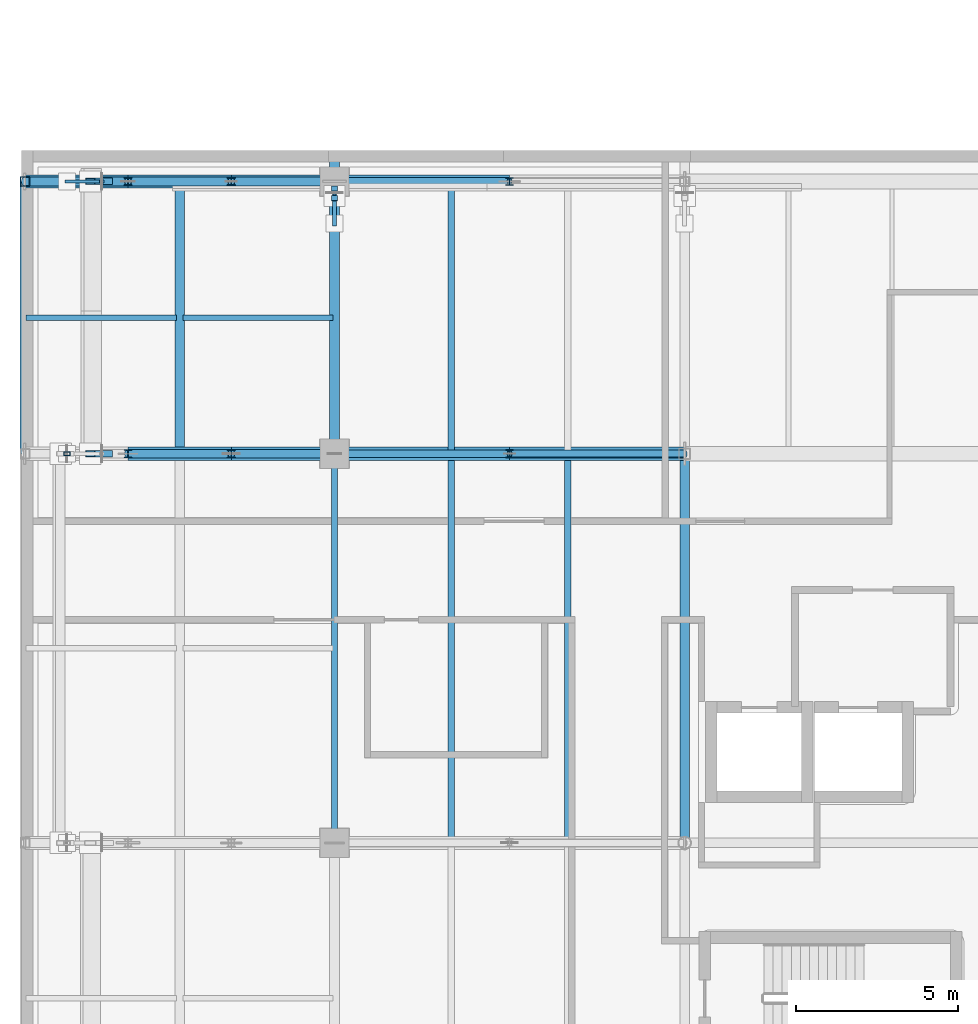
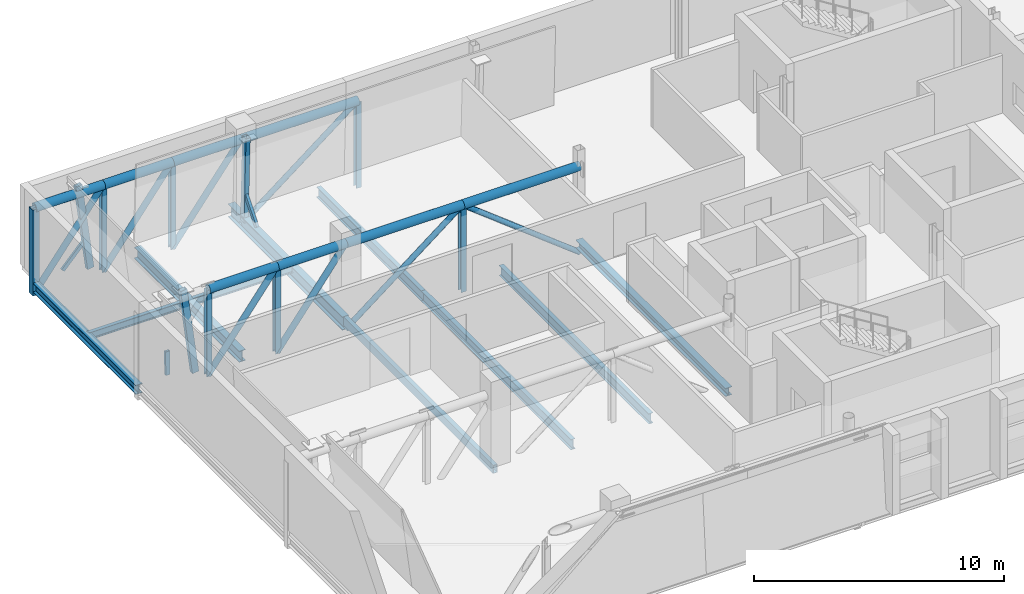
# One storey, part 12 of 89: 29 members, 10 beams.
"""IFC4 building model written with IfcOpenShell, lengths in metres."""

from ifc_helpers import new_model, si_unit, direction, frame, origin, origin_2d, place, context, subcontext, project, spatial, hollow_rectangle, hollow_circle, i_section, extrude, material, material_profile, profile_set, type_object, element, save


model = new_model("IFC4")

# Units and contexts
model_context = context("Model", 3, precision=1e-05, world=origin(), true_north=direction((0.0, 1.0)))
body_context = subcontext(model_context, "Body", "Model", "MODEL_VIEW")
ifc_project = project(units=[si_unit("LENGTHUNIT", "METRE"), si_unit("AREAUNIT", "SQUARE_METRE"), si_unit("VOLUMEUNIT", "CUBIC_METRE"), si_unit("PLANEANGLEUNIT", "RADIAN"), si_unit("MASSUNIT", "GRAM", prefix="KILO")], contexts=[model_context])

# Site, building, storey
site_placement = place(None, origin())
site = spatial("IfcSite", under=ifc_project, at=site_placement, CompositionType="ELEMENT")
building_placement = place(site_placement, origin())
building = spatial("IfcBuilding", under=site, at=building_placement, Name="Zereglee Splitstone Museum", CompositionType="ELEMENT")
storey_placement = place(building_placement, frame((0.0, 0.0, 21.300048828125)))
storey = spatial("IfcBuildingStorey", under=building, at=storey_placement, Name="L04", CompositionType="ELEMENT", Elevation=21.300048828125)

# Members
ifc_material_1 = material(Name="Steel S355J2H", Category="steel")
ifc_material_profile_1 = material_profile(ifc_material_1, hollow_circle(Radius=0.122314453125, WallThickness=0.012451171875, at=origin_2d()), Name="CHS 244.5x12.5")
ifc_profile_set_1 = profile_set([ifc_material_profile_1], Name="Steel S355J2H")
member_type_1 = type_object("IfcMemberType", Name="TB-02", PredefinedType="BRACE", material=ifc_profile_set_1)
for number, where, z_axis, x_axis, name in (
    (1, (9.60009765625, 21.60009765625, -0.900146484375), (0.78933300072, 0.0, 0.613965319847), (0.0, 1.0, 0.0), "Cantilever Truss CT-03 Web Brace L04-4"),
    (2, (20.39990234375, 21.60009765625, -0.900146484375), (-0.78933300072, 0.0, 0.613965319847), (0.0, -1.0, 0.0), "Cantilever Truss CT-03 Web Brace L04-5"),
    (3, (9.60009765625, 30.0, -0.900146484375), (0.78933300072, 0.0, 0.613965319847), (0.0, 1.0, 0.0), "Cantilever Truss CT-04 Web Brace L04-4"),
):
    element("IfcMember", number, at=place(storey_placement, frame(where, z_axis=z_axis, x_axis=x_axis)), inside=storey, type_object=member_type_1, Name=name, PredefinedType="BRACE", context=body_context, shape_type="SweptSolid", body=[
        extrude(hollow_circle(Radius=0.122314453125, WallThickness=0.012451171875, at=origin_2d()), origin(), (0.0, 0.0, 1.0), 6.841064453125),
    ])
ifc_material_profile_2 = material_profile(ifc_material_1, hollow_circle(Radius=0.136474609375, WallThickness=0.012451171875, at=origin_2d()), Name="CHS 273.0x12.5")
ifc_profile_set_2 = profile_set([ifc_material_profile_2], Name="Steel S355J2H")
member_type_2 = type_object("IfcMemberType", Name="TB-01", PredefinedType="BRACE", material=ifc_profile_set_2)
for number, where, z_axis, x_axis, name in (
    (4, (3.2333984375, 21.60009765625, -0.900146484375), (0.604024459, 0.0, 0.79696577902), (0.0, 1.0, 0.0), "Cantilever Truss CT-03 Web Brace L04-2"),
    (5, (6.416748046875, 21.60009765625, -0.900146484375), (0.604024459, 0.0, 0.79696577902), (0.0, 1.0, 0.0), "Cantilever Truss CT-03 Web Brace L04-3"),
    (6, (0.050048828125, 30.0, -0.900146484375), (0.604024459, 0.0, 0.79696577902), (0.0, 1.0, 0.0), "Cantilever Truss CT-04 Web Brace L04-1"),
    (7, (3.2333984375, 30.0, -0.900146484375), (0.604024459, 0.0, 0.79696577902), (0.0, 1.0, 0.0), "Cantilever Truss CT-04 Web Brace L04-2"),
    (8, (6.416748046875, 30.0, -0.900146484375), (0.604024459, 0.0, 0.79696577902), (0.0, 1.0, 0.0), "Cantilever Truss CT-04 Web Brace L04-3"),
):
    element("IfcMember", number, at=place(storey_placement, frame(where, z_axis=z_axis, x_axis=x_axis)), inside=storey, type_object=member_type_2, Name=name, PredefinedType="BRACE", context=body_context, shape_type="SweptSolid", body=[
        extrude(hollow_circle(Radius=0.136474609375, WallThickness=0.012451171875, at=origin_2d()), origin(), (0.0, 0.0, 1.0), 5.270263671875),
    ])
ifc_material_profile_3 = material_profile(ifc_material_1, hollow_circle(Radius=0.203125, WallThickness=0.02001953125, at=origin_2d()), Name="CHS 406.4x20")
ifc_profile_set_3 = profile_set([ifc_material_profile_3], Name="Steel S355J2H")
member_type_3 = type_object("IfcMemberType", Name="TC-03", PredefinedType="CHORD", material=ifc_profile_set_3)
for number, where, z_axis, x_axis, name in (
    (9, (3.2333984375, 21.60009765625, 3.300048828125), (1.0, 0.0, 0.0), (0.0, 1.0, 0.0), "Cantilever Truss CT-03 Top Chord L04-2"),
    (10, (6.416748046875, 21.60009765625, 3.300048828125), (1.0, 0.0, 0.0), (0.0, 1.0, 0.0), "Cantilever Truss CT-03 Top Chord L04-3"),
):
    element("IfcMember", number, at=place(storey_placement, frame(where, z_axis=z_axis, x_axis=x_axis)), inside=storey, type_object=member_type_3, Name=name, PredefinedType="CHORD", context=body_context, shape_type="SweptSolid", body=[
        extrude(hollow_circle(Radius=0.203125, WallThickness=0.02001953125, at=origin_2d()), origin(), (0.0, 0.0, 1.0), 3.183349609375),
    ])
for number, where, z_axis, x_axis, name in (
    (11, (9.60009765625, 21.60009765625, 3.300048828125), (1.0, 0.0, 0.0), (0.0, 1.0, 0.0), "Cantilever Truss CT-03 Top Chord L04-4"),
    (12, (15.0, 21.60009765625, 3.300048828125), (1.0, 0.0, 0.0), (0.0, 1.0, 0.0), "Cantilever Truss CT-03 Top Chord L04-5"),
):
    element("IfcMember", number, at=place(storey_placement, frame(where, z_axis=z_axis, x_axis=x_axis)), inside=storey, type_object=member_type_3, Name=name, PredefinedType="CHORD", context=body_context, shape_type="SweptSolid", body=[
        extrude(hollow_circle(Radius=0.203125, WallThickness=0.02001953125, at=origin_2d()), origin(), (0.0, 0.0, 1.0), 5.39990234375),
    ])
for number, where, z_axis, x_axis, name in (
    (13, (0.050048828125, 30.0, 3.300048828125), (1.0, 0.0, 0.0), (0.0, 1.0, 0.0), "Cantilever Truss CT-04 Top Chord L04-1"),
    (14, (3.2333984375, 30.0, 3.300048828125), (1.0, 0.0, 0.0), (0.0, 1.0, 0.0), "Cantilever Truss CT-04 Top Chord L04-2"),
    (15, (6.416748046875, 30.0, 3.300048828125), (1.0, 0.0, 0.0), (0.0, 1.0, 0.0), "Cantilever Truss CT-04 Top Chord L04-3"),
):
    element("IfcMember", number, at=place(storey_placement, frame(where, z_axis=z_axis, x_axis=x_axis)), inside=storey, type_object=member_type_3, Name=name, PredefinedType="CHORD", context=body_context, shape_type="SweptSolid", body=[
        extrude(hollow_circle(Radius=0.203125, WallThickness=0.02001953125, at=origin_2d()), origin(), (0.0, 0.0, 1.0), 3.183349609375),
    ])
member_1_placement = place(storey_placement, frame((9.60009765625, 30.0, 3.300048828125), z_axis=(1.0, 0.0, 0.0), x_axis=(0.0, 1.0, 0.0)))
element("IfcMember", 16, at=member_1_placement, inside=storey, type_object=member_type_3, Name="Cantilever Truss CT-04 Top Chord L04-4", PredefinedType="CHORD", context=body_context, shape_type="SweptSolid", body=[
    extrude(hollow_circle(Radius=0.203125, WallThickness=0.02001953125, at=origin_2d()), origin(), (0.0, 0.0, 1.0), 5.39990234375),
])

# Beams
ifc_material_2 = material(Name="Steel S355J2", Category="steel")
ifc_material_profile_4 = material_profile(ifc_material_2, i_section(OverallWidth=0.300048828125, OverallDepth=0.39990234375, WebThickness=0.013427734375, FlangeThickness=0.02392578125, FilletRadius=0.027099609375, at=origin_2d()), Name="HE 400 B")
ifc_profile_set_4 = profile_set([ifc_material_profile_4], Name="Steel S355J2")
beam_type_1 = type_object("IfcBeamType", Name="BG-13", PredefinedType="BEAM", material=ifc_profile_set_4)
beam_1_placement = place(storey_placement, frame((20.39990234375, 9.60009765625, -0.4599609375), z_axis=(0.0, 1.0, 0.0), x_axis=(-1.0, 0.0, 0.0)))
element("IfcBeam", 17, at=beam_1_placement, inside=storey, type_object=beam_type_1, Name="Primary Girder L04 4 (9.6-21.6)", PredefinedType="BEAM", context=body_context, shape_type="SweptSolid", body=[
    extrude(i_section(OverallWidth=0.300048828125, OverallDepth=0.39990234375, WebThickness=0.013427734375, FlangeThickness=0.02392578125, FilletRadius=0.027099609375, at=origin_2d()), origin(), (0.0, 0.0, 1.0), 12.0),
])
ifc_material_profile_5 = material_profile(ifc_material_2, i_section(OverallWidth=0.300048828125, OverallDepth=0.550048828125, WebThickness=0.014892578125, FlangeThickness=0.029052734375, FilletRadius=0.027099609375, at=origin_2d()), Name="HE 550 B")
ifc_profile_set_5 = profile_set([ifc_material_profile_5], Name="Steel S355J2")
beam_type_2 = type_object("IfcBeamType", Name="BG-11", PredefinedType="BEAM", material=ifc_profile_set_5)
beam_2_placement = place(storey_placement, frame((4.824951171875, 21.60009765625, -0.53515625), z_axis=(0.0, 1.0, 0.0), x_axis=(-1.0, 0.0, 0.0)))
element("IfcBeam", 18, at=beam_2_placement, inside=storey, type_object=beam_type_2, Name="Cantilever Transverse Girder L04 X=4.83", PredefinedType="BEAM", context=body_context, shape_type="SweptSolid", body=[
    extrude(i_section(OverallWidth=0.300048828125, OverallDepth=0.550048828125, WebThickness=0.014892578125, FlangeThickness=0.029052734375, FilletRadius=0.027099609375, at=origin_2d()), origin(), (0.0, 0.0, 1.0), 8.39990234375),
])
ifc_material_profile_6 = material_profile(ifc_material_2, i_section(OverallWidth=0.300048828125, OverallDepth=0.64990234375, WebThickness=0.01611328125, FlangeThickness=0.031005859375, FilletRadius=0.027099609375, at=origin_2d()), Name="HE 650 B")
ifc_profile_set_6 = profile_set([ifc_material_profile_6], Name="Steel S355J2")
beam_type_3 = type_object("IfcBeamType", Name="BG-09", PredefinedType="BEAM", material=ifc_profile_set_6)
beam_3_placement = place(storey_placement, frame((9.60009765625, 21.60009765625, -0.5849609375), z_axis=(0.0, 1.0, 0.0), x_axis=(-1.0, 0.0, 0.0)))
element("IfcBeam", 19, at=beam_3_placement, inside=storey, type_object=beam_type_3, Name="Primary Girder L04 2 (21.6-30.8)", PredefinedType="BEAM", context=body_context, shape_type="SweptSolid", body=[
    extrude(i_section(OverallWidth=0.300048828125, OverallDepth=0.64990234375, WebThickness=0.01611328125, FlangeThickness=0.031005859375, FilletRadius=0.027099609375, at=origin_2d()), origin(), (0.0, 0.0, 1.0), 9.14990234375),
])
ifc_material_profile_7 = material_profile(ifc_material_2, i_section(OverallWidth=0.169921875, OverallDepth=0.360107421875, WebThickness=0.008056640625, FlangeThickness=0.0126953125, FilletRadius=0.01806640625, at=origin_2d()), Name="IPE 360")
ifc_profile_set_7 = profile_set([ifc_material_profile_7], Name="Steel S355J2")
beam_type_4 = type_object("IfcBeamType", Name="BJ-04", PredefinedType="JOIST", material=ifc_profile_set_7)
beam_4_placement = place(storey_placement, frame((0.090087890625, 25.800048828125, -0.43994140625), z_axis=(1.0, 0.0, 0.0), x_axis=(0.0, 1.0, 0.0)))
element("IfcBeam", 20, at=beam_4_placement, inside=storey, type_object=beam_type_4, Name="Cantilever Floor Joist L04-1640", PredefinedType="JOIST", context=body_context, shape_type="SweptSolid", body=[
    extrude(i_section(OverallWidth=0.169921875, OverallDepth=0.360107421875, WebThickness=0.008056640625, FlangeThickness=0.0126953125, FilletRadius=0.01806640625, at=origin_2d()), origin(), (0.0, 0.0, 1.0), 4.635009765625),
])
beam_5_placement = place(storey_placement, frame((4.925048828125, 25.800048828125, -0.43994140625), z_axis=(1.0, 0.0, 0.0), x_axis=(0.0, 1.0, 0.0)))
element("IfcBeam", 21, at=beam_5_placement, inside=storey, type_object=beam_type_4, Name="Cantilever Floor Joist L04-1641", PredefinedType="JOIST", context=body_context, shape_type="SweptSolid", body=[
    extrude(i_section(OverallWidth=0.169921875, OverallDepth=0.360107421875, WebThickness=0.008056640625, FlangeThickness=0.0126953125, FilletRadius=0.01806640625, at=origin_2d()), origin(), (0.0, 0.0, 1.0), 4.625),
])
ifc_material_profile_8 = material_profile(ifc_material_2, i_section(OverallWidth=0.199951171875, OverallDepth=0.5, WebThickness=0.01025390625, FlangeThickness=0.01611328125, FilletRadius=0.02099609375, at=origin_2d()), Name="IPE 500")
ifc_profile_set_8 = profile_set([ifc_material_profile_8], Name="Steel S355J2")
beam_type_5 = type_object("IfcBeamType", Name="BJ-01", PredefinedType="JOIST", material=ifc_profile_set_8)
for number, where, z_axis, x_axis, name in (
    (22, (13.199951171875, 9.60009765625, -0.510009765625), (0.0, 1.0, 0.0), (-1.0, 0.0, 0.0), "Secondary Floor Joist L04-1505"),
    (23, (16.800048828125, 9.60009765625, -0.510009765625), (0.0, 1.0, 0.0), (-1.0, 0.0, 0.0), "Secondary Floor Joist L04-1506"),
):
    element("IfcBeam", number, at=place(storey_placement, frame(where, z_axis=z_axis, x_axis=x_axis)), inside=storey, type_object=beam_type_5, Name=name, PredefinedType="JOIST", context=body_context, shape_type="SweptSolid", body=[
        extrude(i_section(OverallWidth=0.199951171875, OverallDepth=0.5, WebThickness=0.01025390625, FlangeThickness=0.01611328125, FilletRadius=0.02099609375, at=origin_2d()), origin(), (0.0, 0.0, 1.0), 12.0),
    ])
beam_6_placement = place(storey_placement, frame((13.199951171875, 21.60009765625, -0.510009765625), z_axis=(0.0, 1.0, 0.0), x_axis=(-1.0, 0.0, 0.0)))
element("IfcBeam", 24, at=beam_6_placement, inside=storey, type_object=beam_type_5, Name="Secondary Floor Joist L04-1522", PredefinedType="JOIST", context=body_context, shape_type="SweptSolid", body=[
    extrude(i_section(OverallWidth=0.199951171875, OverallDepth=0.5, WebThickness=0.01025390625, FlangeThickness=0.01611328125, FilletRadius=0.02099609375, at=origin_2d()), origin(), (0.0, 0.0, 1.0), 8.39990234375),
])

# Members
ifc_material_profile_9 = material_profile(ifc_material_2, i_section(OverallWidth=0.239990234375, OverallDepth=0.239990234375, WebThickness=0.010009765625, FlangeThickness=0.01708984375, FilletRadius=0.02099609375, at=origin_2d()), Name="HE 240 B")
ifc_profile_set_9 = profile_set([ifc_material_profile_9], Name="Steel S355J2")
member_type_4 = type_object("IfcMemberType", Name="TP-02", PredefinedType="POST", material=ifc_profile_set_9)
for number, where, z_axis, x_axis, name in (
    (25, (3.2333984375, 21.60009765625, -0.900146484375), (0.0, 0.0, 1.0), (1.0, 0.0, 0.0), "Cantilever Truss CT-03 Post L04-2"),
    (26, (6.416748046875, 21.60009765625, -0.900146484375), (0.0, 0.0, 1.0), (1.0, 0.0, 0.0), "Cantilever Truss CT-03 Post L04-3"),
    (27, (15.0, 21.60009765625, -0.900146484375), (0.0, 0.0, 1.0), (1.0, 0.0, 0.0), "Cantilever Truss CT-03 Post L04-4"),
    (28, (3.2333984375, 30.0, -0.900146484375), (0.0, 0.0, 1.0), (1.0, 0.0, 0.0), "Cantilever Truss CT-04 Post L04-2"),
    (29, (6.416748046875, 30.0, -0.900146484375), (0.0, 0.0, 1.0), (1.0, 0.0, 0.0), "Cantilever Truss CT-04 Post L04-3"),
    (30, (15.0, 30.0, -0.900146484375), (0.0, 0.0, 1.0), (1.0, 0.0, 0.0), "Cantilever Truss CT-04 Post L04-4"),
):
    element("IfcMember", number, at=place(storey_placement, frame(where, z_axis=z_axis, x_axis=x_axis)), inside=storey, type_object=member_type_4, Name=name, PredefinedType="POST", context=body_context, shape_type="SweptSolid", body=[
        extrude(i_section(OverallWidth=0.239990234375, OverallDepth=0.239990234375, WebThickness=0.010009765625, FlangeThickness=0.01708984375, FilletRadius=0.02099609375, at=origin_2d()), origin(), (0.0, 0.0, 1.0), 4.2001953125),
    ])
ifc_material_profile_10 = material_profile(ifc_material_1, hollow_rectangle(XDim=0.300048828125, YDim=0.300048828125, WallThickness=0.01611328125, at=origin_2d()), Name="SHS 300x300x16")
ifc_profile_set_10 = profile_set([ifc_material_profile_10], Name="Steel S355J2H")
member_type_5 = type_object("IfcMemberType", Name="TP-01", PredefinedType="POST", material=ifc_profile_set_10)
member_2_placement = place(storey_placement, frame((0.050048828125, 30.0, -0.900146484375), z_axis=(0.0, 0.0, 1.0), x_axis=(1.0, 0.0, 0.0)))
element("IfcMember", 31, at=member_2_placement, inside=storey, type_object=member_type_5, Name="Cantilever Truss CT-04 Post L04-1", PredefinedType="POST", context=body_context, shape_type="SweptSolid", body=[
    extrude(hollow_rectangle(XDim=0.300048828125, YDim=0.300048828125, WallThickness=0.01611328125, at=origin_2d()), origin(), (0.0, 0.0, 1.0), 4.2001953125),
])

# Beams
ifc_material_profile_11 = material_profile(ifc_material_2, i_section(OverallWidth=0.300048828125, OverallDepth=0.449951171875, WebThickness=0.013916015625, FlangeThickness=0.02587890625, FilletRadius=0.027099609375, at=origin_2d()), Name="HE 450 B")
ifc_profile_set_11 = profile_set([ifc_material_profile_11], Name="Steel S355J2")
beam_type_6 = type_object("IfcBeamType", Name="SP-02", PredefinedType="SPANDREL", material=ifc_profile_set_11)
beam_7_placement = place(storey_placement, frame((0.050048828125, 21.60009765625, -0.485107421875), z_axis=(0.0, 1.0, 0.0), x_axis=(-1.0, 0.0, 0.0)))
element("IfcBeam", 32, at=beam_7_placement, inside=storey, type_object=beam_type_6, Name="Cantilever Transverse Girder L04 X=0.05", PredefinedType="SPANDREL", context=body_context, shape_type="SweptSolid", body=[
    extrude(i_section(OverallWidth=0.300048828125, OverallDepth=0.449951171875, WebThickness=0.013916015625, FlangeThickness=0.02587890625, FilletRadius=0.027099609375, at=origin_2d()), origin(), (0.0, 0.0, 1.0), 8.39990234375),
])
ifc_material_profile_12 = material_profile(ifc_material_1, hollow_rectangle(XDim=0.199951171875, YDim=0.39990234375, WallThickness=0.01611328125, at=origin_2d()), Name="RHS 400x200x16")
ifc_profile_set_12 = profile_set([ifc_material_profile_12], Name="Steel S355J2H")
beam_type_7 = type_object("IfcBeamType", Name="SP-04", PredefinedType="SPANDREL", material=ifc_profile_set_12)
beam_8_placement = place(storey_placement, frame((9.60009765625, 9.60009765625, -0.4599609375), z_axis=(0.0, 1.0, 0.0), x_axis=(-1.0, 0.0, 0.0)))
element("IfcBeam", 33, at=beam_8_placement, inside=storey, type_object=beam_type_7, Name="Primary Girder L04 2 (9.6-21.6)", PredefinedType="SPANDREL", context=body_context, shape_type="SweptSolid", body=[
    extrude(hollow_rectangle(XDim=0.199951171875, YDim=0.39990234375, WallThickness=0.01611328125, at=origin_2d()), origin(), (0.0, 0.0, 1.0), 12.0),
])

# Members
ifc_material_profile_13 = material_profile(ifc_material_1, hollow_rectangle(XDim=0.199951171875, YDim=0.300048828125, WallThickness=0.012451171875, at=origin_2d()), Name="RHS 300x200x12.5")
ifc_profile_set_13 = profile_set([ifc_material_profile_13], Name="Steel S355J2H")
member_type_6 = type_object("IfcMemberType", Name="FS-R1", PredefinedType="STRUT", material=ifc_profile_set_13)
for number, where, z_axis, x_axis, name in (
    (34, (2.61083984375, 21.60009765625, -0.510009765625), (-0.128422052861, 0.0, 0.991719605705), (0.0, -1.0, 0.0), "Split-Rock Continuous Facet Strut FH-V1W-N L04-01"),
    (35, (2.61083984375, 30.0, -0.510009765625), (-0.128422052861, 0.0, 0.991719605705), (0.0, -1.0, 0.0), "Split-Rock Continuous Facet Strut FH-V1W-N L04-02"),
):
    element("IfcMember", number, at=place(storey_placement, frame(where, z_axis=z_axis, x_axis=x_axis)), inside=storey, type_object=member_type_6, Name=name, PredefinedType="STRUT", context=body_context, shape_type="SweptSolid", body=[
        extrude(hollow_rectangle(XDim=0.199951171875, YDim=0.300048828125, WallThickness=0.012451171875, at=origin_2d()), origin(), (0.0, 0.0, 1.0), 4.2451171875),
    ])
member_3_placement = place(storey_placement, frame((9.60009765625, 29.707763671875, -0.510009765625), z_axis=(0.0, -0.037146694316, 0.999309823379), x_axis=(1.0, 0.0, 0.0)))
element("IfcMember", 36, at=member_3_placement, inside=storey, type_object=member_type_6, Name="Split-Rock Continuous Facet Strut FH-V1N-W L04-01", PredefinedType="STRUT", context=body_context, shape_type="SweptSolid", body=[
    extrude(hollow_rectangle(XDim=0.199951171875, YDim=0.300048828125, WallThickness=0.012451171875, at=origin_2d()), origin(), (0.0, 0.0, 1.0), 4.212890625),
])
ifc_material_profile_14 = material_profile(ifc_material_1, hollow_rectangle(XDim=0.10009765625, YDim=0.179931640625, WallThickness=0.008056640625, at=origin_2d()), Name="RHS 180x100x8")
ifc_profile_set_14 = profile_set([ifc_material_profile_14], Name="Steel S355J2H")
member_type_7 = type_object("IfcMemberType", Name="FS-T2", PredefinedType="STRUT", material=ifc_profile_set_14)
member_4_placement = place(storey_placement, frame((1.35009765625, 30.0, -0.219970703125), z_axis=(0.679069042428, 0.0, 0.734074407411), x_axis=(0.0, 1.0, 0.0)))
element("IfcMember", 37, at=member_4_placement, inside=storey, type_object=member_type_7, Name="Facet Tie-Back Strut FH-V1W-N L04-02", PredefinedType="STRUT", context=body_context, shape_type="SweptSolid", body=[
    extrude(hollow_rectangle(XDim=0.10009765625, YDim=0.179931640625, WallThickness=0.008056640625, at=origin_2d()), origin(), (0.0, 0.0, 1.0), 1.580078125),
])
ifc_material_profile_15 = material_profile(ifc_material_1, hollow_rectangle(XDim=0.1201171875, YDim=0.199951171875, WallThickness=0.008056640625, at=origin_2d()), Name="RHS 200x120x8")
ifc_profile_set_15 = profile_set([ifc_material_profile_15], Name="Steel S355J2H")
member_type_8 = type_object("IfcMemberType", Name="FS-T1", PredefinedType="STRUT", material=ifc_profile_set_15)
member_5_placement = place(storey_placement, frame((1.35009765625, 21.60009765625, -0.219970703125), z_axis=(-0.007156204883, 0.0, 0.999974394038), x_axis=(0.0, -1.0, 0.0)))
element("IfcMember", 38, at=member_5_placement, inside=storey, type_object=member_type_8, Name="Facet Tie-Back Strut FH-V1W-M L04-02", PredefinedType="STRUT", context=body_context, shape_type="SweptSolid", body=[
    extrude(hollow_rectangle(XDim=0.1201171875, YDim=0.199951171875, WallThickness=0.008056640625, at=origin_2d()), origin(), (0.0, 0.0, 1.0), 1.159912109375),
])
member_6_placement = place(storey_placement, frame((9.60009765625, 28.699951171875, -0.219970703125), z_axis=(0.0, 0.635165751141, 0.772375859655), x_axis=(-1.0, 0.0, 0.0)))
element("IfcMember", 39, at=member_6_placement, inside=storey, type_object=member_type_8, Name="Facet Tie-Back Strut FH-V1N-W L04-01", PredefinedType="STRUT", context=body_context, shape_type="SweptSolid", body=[
    extrude(hollow_rectangle(XDim=0.1201171875, YDim=0.199951171875, WallThickness=0.008056640625, at=origin_2d()), origin(), (0.0, 0.0, 1.0), 1.501708984375),
])

save(model, "model.ifc")
